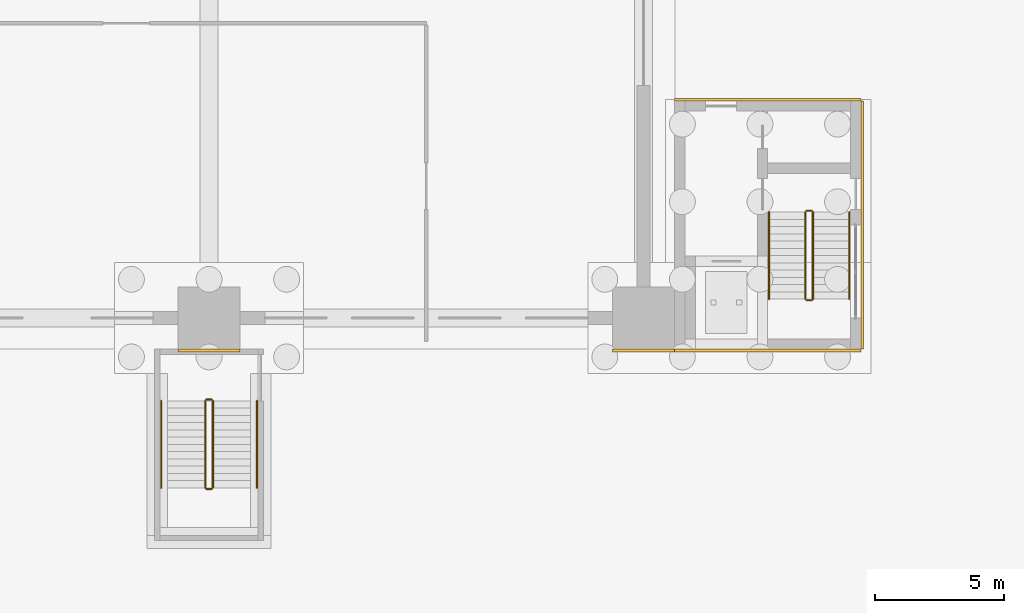
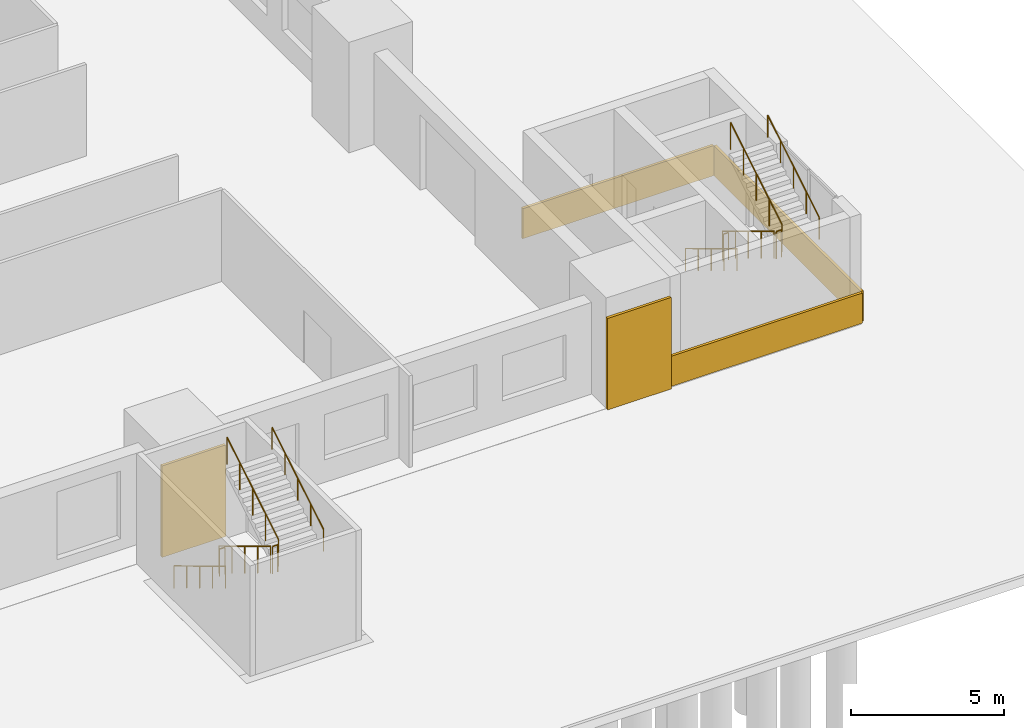
# One storey, part 132 of 139: 12 railings, 5 coverings.
"""IFC4 building model written with IfcOpenShell, lengths in metres."""

from ifc_helpers import new_model, si_unit, direction, frame, origin, origin_2d, place, context, subcontext, project, spatial, rectangle, circle, extrude, material, layer, layer_set, type_object, element, save


model = new_model("IFC4")

# Units and contexts
model_context = context("Model", 3, precision=1e-05, world=origin(), true_north=direction((0.0, 1.0)))
body_context = subcontext(model_context, "Body", "Model", "MODEL_VIEW")
ifc_project = project(units=[si_unit("LENGTHUNIT", "METRE"), si_unit("AREAUNIT", "SQUARE_METRE"), si_unit("VOLUMEUNIT", "CUBIC_METRE"), si_unit("PLANEANGLEUNIT", "RADIAN"), si_unit("MASSUNIT", "GRAM", prefix="KILO")], contexts=[model_context])

# Site, building, storey
site_placement = place(None, origin())
site = spatial("IfcSite", under=ifc_project, at=site_placement, CompositionType="ELEMENT")
building_placement = place(site_placement, origin())
building = spatial("IfcBuilding", under=site, at=building_placement, Name="Verrick Yard Athletic Hall", CompositionType="ELEMENT")
storey_placement = place(building_placement, origin())
storey = spatial("IfcBuildingStorey", under=building, at=storey_placement, Name="L00", CompositionType="ELEMENT", Elevation=0.0)

# Coverings
ifc_material_1 = material(Name="Rusticated limestone cladding", Category="masonry")
ifc_layer_1 = layer(ifc_material_1, 0.10009765625)
ifc_layer_set_1 = layer_set([ifc_layer_1], Name="Pier base cladding")
covering_type_1 = type_object("IfcCoveringType", Name="Pier base cladding", PredefinedType="CLADDING", material=ifc_layer_set_1)
for number, where, z_axis, x_axis, name in (
    (1, (140.800048828125, 17.949951171875, 0.0), (0.0, 0.0, 1.0), (1.0, 0.0, 0.0), "Pier base S7"),
    (2, (157.60009765625, 17.949951171875, 0.0), (0.0, 0.0, 1.0), (1.0, 0.0, 0.0), "Pier base S8"),
):
    element("IfcCovering", number, at=place(storey_placement, frame(where, z_axis=z_axis, x_axis=x_axis)), inside=storey, type_object=covering_type_1, Name=name, PredefinedType="CLADDING", context=body_context, shape_type="SweptSolid", body=[
        extrude(rectangle(XDim=2.39990234375, YDim=0.10009765625, at=origin_2d()), origin(), (0.0, 0.0, 1.0), 3.64990234375),
    ])

# Railings
ifc_material_2 = material(Name="Stainless steel", Category="steel")
railing_type_1 = type_object("IfcRailingType", Name="Stair and core guard 1100", PredefinedType="GUARDRAIL", material=ifc_material_2)
railing_1_placement = place(storey_placement, frame((163.85009765625, 23.300048828125, 0.169189453125)))
element("IfcRailing", 3, at=railing_1_placement, inside=storey, type_object=railing_type_1, Name="L00 Plinth south-east stair guard 1", PredefinedType="GUARDRAIL", context=body_context, shape_type="SweptSolid", body=[
    extrude(circle(Radius=0.02392578125, at=origin_2d()), frame((0.0, 0.0, 1.076171875), z_axis=(0.0, -0.855836976705, 0.517245656632), x_axis=(1.0, 0.0, 0.0)), (0.0, 0.0, 1.0), 3.926025390625),
    extrude(circle(Radius=0.02099609375, at=origin_2d()), origin(), (0.0, 0.0, 1.0), 1.052001953125),
    extrude(circle(Radius=0.02099609375, at=origin_2d()), frame((0.0, -0.840087890625, 0.5078125)), (0.0, 0.0, 1.0), 1.052001953125),
    extrude(circle(Radius=0.02099609375, at=origin_2d()), frame((0.0, -1.68017578125, 1.015380859375)), (0.0, 0.0, 1.0), 1.052001953125),
    extrude(circle(Radius=0.02099609375, at=origin_2d()), frame((0.0, -2.52001953125, 1.52294921875)), (0.0, 0.0, 1.0), 1.052001953125),
    extrude(circle(Radius=0.02099609375, at=origin_2d()), frame((0.0, -3.360107421875, 2.03076171875)), (0.0, 0.0, 1.0), 1.052001953125),
])
railing_2_placement = place(storey_placement, frame((163.89990234375, 19.889892578125, 2.199951171875)))
element("IfcRailing", 4, at=railing_2_placement, inside=storey, type_object=railing_type_1, Name="L00 Plinth south-east stair guard 2", PredefinedType="GUARDRAIL", context=body_context, shape_type="SweptSolid", body=[
    extrude(circle(Radius=0.02392578125, at=origin_2d()), frame((0.0, 0.0, 1.076171875), z_axis=(1.0, 0.0, 0.0), x_axis=(0.0, 1.0, 0.0)), (0.0, 0.0, 1.0), 0.2001953125),
    extrude(circle(Radius=0.02099609375, at=origin_2d()), origin(), (0.0, 0.0, 1.0), 1.052001953125),
    extrude(circle(Radius=0.02099609375, at=origin_2d()), frame((0.2001953125, 0.0, 0.0)), (0.0, 0.0, 1.0), 1.052001953125),
])
railing_3_placement = place(storey_placement, frame((164.14990234375, 19.93994140625, 2.369140625)))
element("IfcRailing", 5, at=railing_3_placement, inside=storey, type_object=railing_type_1, Name="L00 Plinth south-east stair guard 3", PredefinedType="GUARDRAIL", context=body_context, shape_type="SweptSolid", body=[
    extrude(circle(Radius=0.02392578125, at=origin_2d()), frame((0.0, 0.0, 1.076171875), z_axis=(0.0, 0.855836976705, 0.517245656632), x_axis=(-1.0, 0.0, 0.0)), (0.0, 0.0, 1.0), 3.926025390625),
    extrude(circle(Radius=0.02099609375, at=origin_2d()), origin(), (0.0, 0.0, 1.0), 1.052001953125),
    extrude(circle(Radius=0.02099609375, at=origin_2d()), frame((0.0, 0.840087890625, 0.5078125)), (0.0, 0.0, 1.0), 1.052001953125),
    extrude(circle(Radius=0.02099609375, at=origin_2d()), frame((0.0, 1.68017578125, 1.015380859375)), (0.0, 0.0, 1.0), 1.052001953125),
    extrude(circle(Radius=0.02099609375, at=origin_2d()), frame((0.0, 2.52001953125, 1.52294921875)), (0.0, 0.0, 1.0), 1.052001953125),
    extrude(circle(Radius=0.02099609375, at=origin_2d()), frame((0.0, 3.360107421875, 2.03076171875)), (0.0, 0.0, 1.0), 1.052001953125),
])
railing_4_placement = place(storey_placement, frame((163.89990234375, 23.35009765625, 0.0)))
element("IfcRailing", 6, at=railing_4_placement, inside=storey, type_object=railing_type_1, Name="L00 Plinth south-east stair guard 4", PredefinedType="GUARDRAIL", context=body_context, shape_type="SweptSolid", body=[
    extrude(circle(Radius=0.02392578125, at=origin_2d()), frame((0.0, 0.0, 1.076171875), z_axis=(1.0, 0.0, 0.0), x_axis=(0.0, 1.0, 0.0)), (0.0, 0.0, 1.0), 0.2001953125),
    extrude(circle(Radius=0.02099609375, at=origin_2d()), origin(), (0.0, 0.0, 1.0), 1.052001953125),
    extrude(circle(Radius=0.02099609375, at=origin_2d()), frame((0.2001953125, 0.0, 0.0)), (0.0, 0.0, 1.0), 1.052001953125),
])
railing_5_placement = place(storey_placement, frame((140.64990234375, 16.0, 0.169189453125)))
element("IfcRailing", 7, at=railing_5_placement, inside=storey, type_object=railing_type_1, Name="L00 South deck escape 2 stair guard 1", PredefinedType="GUARDRAIL", context=body_context, shape_type="SweptSolid", body=[
    extrude(circle(Radius=0.02392578125, at=origin_2d()), frame((0.0, 0.0, 1.076171875), z_axis=(0.0, -0.855836976705, 0.517245656632), x_axis=(1.0, 0.0, 0.0)), (0.0, 0.0, 1.0), 3.926025390625),
    extrude(circle(Radius=0.02099609375, at=origin_2d()), origin(), (0.0, 0.0, 1.0), 1.052001953125),
    extrude(circle(Radius=0.02099609375, at=origin_2d()), frame((0.0, -0.840087890625, 0.5078125)), (0.0, 0.0, 1.0), 1.052001953125),
    extrude(circle(Radius=0.02099609375, at=origin_2d()), frame((0.0, -1.68017578125, 1.015380859375)), (0.0, 0.0, 1.0), 1.052001953125),
    extrude(circle(Radius=0.02099609375, at=origin_2d()), frame((0.0, -2.52001953125, 1.52294921875)), (0.0, 0.0, 1.0), 1.052001953125),
    extrude(circle(Radius=0.02099609375, at=origin_2d()), frame((0.0, -3.360107421875, 2.03076171875)), (0.0, 0.0, 1.0), 1.052001953125),
])
railing_6_placement = place(storey_placement, frame((140.699951171875, 12.590087890625, 2.199951171875)))
element("IfcRailing", 8, at=railing_6_placement, inside=storey, type_object=railing_type_1, Name="L00 South deck escape 2 stair guard 2", PredefinedType="GUARDRAIL", context=body_context, shape_type="SweptSolid", body=[
    extrude(circle(Radius=0.02392578125, at=origin_2d()), frame((0.0, 0.0, 1.076171875), z_axis=(1.0, 0.0, 0.0), x_axis=(0.0, 1.0, 0.0)), (0.0, 0.0, 1.0), 0.199951171875),
    extrude(circle(Radius=0.02099609375, at=origin_2d()), origin(), (0.0, 0.0, 1.0), 1.052001953125),
    extrude(circle(Radius=0.02099609375, at=origin_2d()), frame((0.199951171875, 0.0, 0.0)), (0.0, 0.0, 1.0), 1.052001953125),
])
railing_7_placement = place(storey_placement, frame((140.949951171875, 12.639892578125, 2.369140625)))
element("IfcRailing", 9, at=railing_7_placement, inside=storey, type_object=railing_type_1, Name="L00 South deck escape 2 stair guard 3", PredefinedType="GUARDRAIL", context=body_context, shape_type="SweptSolid", body=[
    extrude(circle(Radius=0.02392578125, at=origin_2d()), frame((0.0, 0.0, 1.076171875), z_axis=(0.0, 0.855836976705, 0.517245656632), x_axis=(-1.0, 0.0, 0.0)), (0.0, 0.0, 1.0), 3.926025390625),
    extrude(circle(Radius=0.02099609375, at=origin_2d()), origin(), (0.0, 0.0, 1.0), 1.052001953125),
    extrude(circle(Radius=0.02099609375, at=origin_2d()), frame((0.0, 0.840087890625, 0.5078125)), (0.0, 0.0, 1.0), 1.052001953125),
    extrude(circle(Radius=0.02099609375, at=origin_2d()), frame((0.0, 1.68017578125, 1.015380859375)), (0.0, 0.0, 1.0), 1.052001953125),
    extrude(circle(Radius=0.02099609375, at=origin_2d()), frame((0.0, 2.52001953125, 1.52294921875)), (0.0, 0.0, 1.0), 1.052001953125),
    extrude(circle(Radius=0.02099609375, at=origin_2d()), frame((0.0, 3.360107421875, 2.03076171875)), (0.0, 0.0, 1.0), 1.052001953125),
])
railing_8_placement = place(storey_placement, frame((140.699951171875, 16.050048828125, 0.0)))
element("IfcRailing", 10, at=railing_8_placement, inside=storey, type_object=railing_type_1, Name="L00 South deck escape 2 stair guard 4", PredefinedType="GUARDRAIL", context=body_context, shape_type="SweptSolid", body=[
    extrude(circle(Radius=0.02392578125, at=origin_2d()), frame((0.0, 0.0, 1.076171875), z_axis=(1.0, 0.0, 0.0), x_axis=(0.0, 1.0, 0.0)), (0.0, 0.0, 1.0), 0.199951171875),
    extrude(circle(Radius=0.02099609375, at=origin_2d()), origin(), (0.0, 0.0, 1.0), 1.052001953125),
    extrude(circle(Radius=0.02099609375, at=origin_2d()), frame((0.199951171875, 0.0, 0.0)), (0.0, 0.0, 1.0), 1.052001953125),
])
railing_type_2 = type_object("IfcRailingType", Name="Stair handrail 900", PredefinedType="HANDRAIL", material=ifc_material_2)
railing_9_placement = place(storey_placement, frame((162.449951171875, 23.300048828125, 0.169189453125)))
element("IfcRailing", 11, at=railing_9_placement, inside=storey, type_object=railing_type_2, Name="L00 Plinth south-east stair handrail 1", PredefinedType="HANDRAIL", context=body_context, shape_type="SweptSolid", body=[
    extrude(circle(Radius=0.02392578125, at=origin_2d()), frame((0.0, 0.0, 0.8759765625), z_axis=(0.0, -0.855836976705, 0.517245656632), x_axis=(1.0, 0.0, 0.0)), (0.0, 0.0, 1.0), 3.926025390625),
    extrude(circle(Radius=0.02099609375, at=origin_2d()), origin(), (0.0, 0.0, 1.0), 0.851806640625),
    extrude(circle(Radius=0.02099609375, at=origin_2d()), frame((0.0, -0.840087890625, 0.5078125)), (0.0, 0.0, 1.0), 0.851806640625),
    extrude(circle(Radius=0.02099609375, at=origin_2d()), frame((0.0, -1.68017578125, 1.015380859375)), (0.0, 0.0, 1.0), 0.851806640625),
    extrude(circle(Radius=0.02099609375, at=origin_2d()), frame((0.0, -2.52001953125, 1.52294921875)), (0.0, 0.0, 1.0), 0.851806640625),
    extrude(circle(Radius=0.02099609375, at=origin_2d()), frame((0.0, -3.360107421875, 2.03076171875)), (0.0, 0.0, 1.0), 0.851806640625),
])
railing_10_placement = place(storey_placement, frame((165.550048828125, 19.93994140625, 2.369140625)))
element("IfcRailing", 12, at=railing_10_placement, inside=storey, type_object=railing_type_2, Name="L00 Plinth south-east stair handrail 2", PredefinedType="HANDRAIL", context=body_context, shape_type="SweptSolid", body=[
    extrude(circle(Radius=0.02392578125, at=origin_2d()), frame((0.0, 0.0, 0.8759765625), z_axis=(0.0, 0.855836976705, 0.517245656632), x_axis=(-1.0, 0.0, 0.0)), (0.0, 0.0, 1.0), 3.926025390625),
    extrude(circle(Radius=0.02099609375, at=origin_2d()), origin(), (0.0, 0.0, 1.0), 0.851806640625),
    extrude(circle(Radius=0.02099609375, at=origin_2d()), frame((0.0, 0.840087890625, 0.5078125)), (0.0, 0.0, 1.0), 0.851806640625),
    extrude(circle(Radius=0.02099609375, at=origin_2d()), frame((0.0, 1.68017578125, 1.015380859375)), (0.0, 0.0, 1.0), 0.851806640625),
    extrude(circle(Radius=0.02099609375, at=origin_2d()), frame((0.0, 2.52001953125, 1.52294921875)), (0.0, 0.0, 1.0), 0.851806640625),
    extrude(circle(Radius=0.02099609375, at=origin_2d()), frame((0.0, 3.360107421875, 2.03076171875)), (0.0, 0.0, 1.0), 0.851806640625),
])
railing_11_placement = place(storey_placement, frame((138.949951171875, 16.0, 0.169189453125)))
element("IfcRailing", 13, at=railing_11_placement, inside=storey, type_object=railing_type_2, Name="L00 South deck escape 2 stair handrail 1", PredefinedType="HANDRAIL", context=body_context, shape_type="SweptSolid", body=[
    extrude(circle(Radius=0.02392578125, at=origin_2d()), frame((0.0, 0.0, 0.8759765625), z_axis=(0.0, -0.855836976705, 0.517245656632), x_axis=(1.0, 0.0, 0.0)), (0.0, 0.0, 1.0), 3.926025390625),
    extrude(circle(Radius=0.02099609375, at=origin_2d()), origin(), (0.0, 0.0, 1.0), 0.851806640625),
    extrude(circle(Radius=0.02099609375, at=origin_2d()), frame((0.0, -0.840087890625, 0.5078125)), (0.0, 0.0, 1.0), 0.851806640625),
    extrude(circle(Radius=0.02099609375, at=origin_2d()), frame((0.0, -1.68017578125, 1.015380859375)), (0.0, 0.0, 1.0), 0.851806640625),
    extrude(circle(Radius=0.02099609375, at=origin_2d()), frame((0.0, -2.52001953125, 1.52294921875)), (0.0, 0.0, 1.0), 0.851806640625),
    extrude(circle(Radius=0.02099609375, at=origin_2d()), frame((0.0, -3.360107421875, 2.03076171875)), (0.0, 0.0, 1.0), 0.851806640625),
])
railing_12_placement = place(storey_placement, frame((142.64990234375, 12.639892578125, 2.369140625)))
element("IfcRailing", 14, at=railing_12_placement, inside=storey, type_object=railing_type_2, Name="L00 South deck escape 2 stair handrail 2", PredefinedType="HANDRAIL", context=body_context, shape_type="SweptSolid", body=[
    extrude(circle(Radius=0.02392578125, at=origin_2d()), frame((0.0, 0.0, 0.8759765625), z_axis=(0.0, 0.855836976705, 0.517245656632), x_axis=(-1.0, 0.0, 0.0)), (0.0, 0.0, 1.0), 3.926025390625),
    extrude(circle(Radius=0.02099609375, at=origin_2d()), origin(), (0.0, 0.0, 1.0), 0.851806640625),
    extrude(circle(Radius=0.02099609375, at=origin_2d()), frame((0.0, 0.840087890625, 0.5078125)), (0.0, 0.0, 1.0), 0.851806640625),
    extrude(circle(Radius=0.02099609375, at=origin_2d()), frame((0.0, 1.68017578125, 1.015380859375)), (0.0, 0.0, 1.0), 0.851806640625),
    extrude(circle(Radius=0.02099609375, at=origin_2d()), frame((0.0, 2.52001953125, 1.52294921875)), (0.0, 0.0, 1.0), 0.851806640625),
    extrude(circle(Radius=0.02099609375, at=origin_2d()), frame((0.0, 3.360107421875, 2.03076171875)), (0.0, 0.0, 1.0), 0.851806640625),
])

# Coverings
ifc_material_3 = material(Name="Tyndall-stone-look precast cladding", Category="masonry")
ifc_layer_2 = layer(ifc_material_3, 0.125)
ifc_layer_set_2 = layer_set([ifc_layer_2], Name="Stone cladding")
covering_type_2 = type_object("IfcCoveringType", Name="Stone cladding", PredefinedType="CLADDING", material=ifc_layer_set_2)
for number, where, z_axis, x_axis, name in (
    (15, (162.39990234375, 17.949951171875, 0.10009765625), (0.0, 0.0, 1.0), (1.0, 0.0, 0.0), "Block base course"),
    (16, (162.39990234375, 27.64990234375, 0.10009765625), (0.0, 0.0, 1.0), (1.0, 0.0, 0.0), "Block base course"),
):
    element("IfcCovering", number, at=place(storey_placement, frame(where, z_axis=z_axis, x_axis=x_axis)), inside=storey, type_object=covering_type_2, Name=name, PredefinedType="CLADDING", context=body_context, shape_type="SweptSolid", body=[
        extrude(rectangle(XDim=7.199951171875, YDim=0.10009765625, at=origin_2d()), origin(), (0.0, 0.0, 1.0), 1.199951171875),
    ])
covering_placement = place(storey_placement, frame((166.050048828125, 22.800048828125, 0.10009765625), z_axis=(0.0, 0.0, 1.0), x_axis=(1.0, 0.0, 0.0)))
element("IfcCovering", 17, at=covering_placement, inside=storey, type_object=covering_type_2, Name="Block base course", PredefinedType="CLADDING", context=body_context, shape_type="SweptSolid", body=[
    extrude(rectangle(XDim=0.10009765625, YDim=9.60009765625, at=origin_2d()), origin(), (0.0, 0.0, 1.0), 1.199951171875),
])

save(model, "model.ifc")
